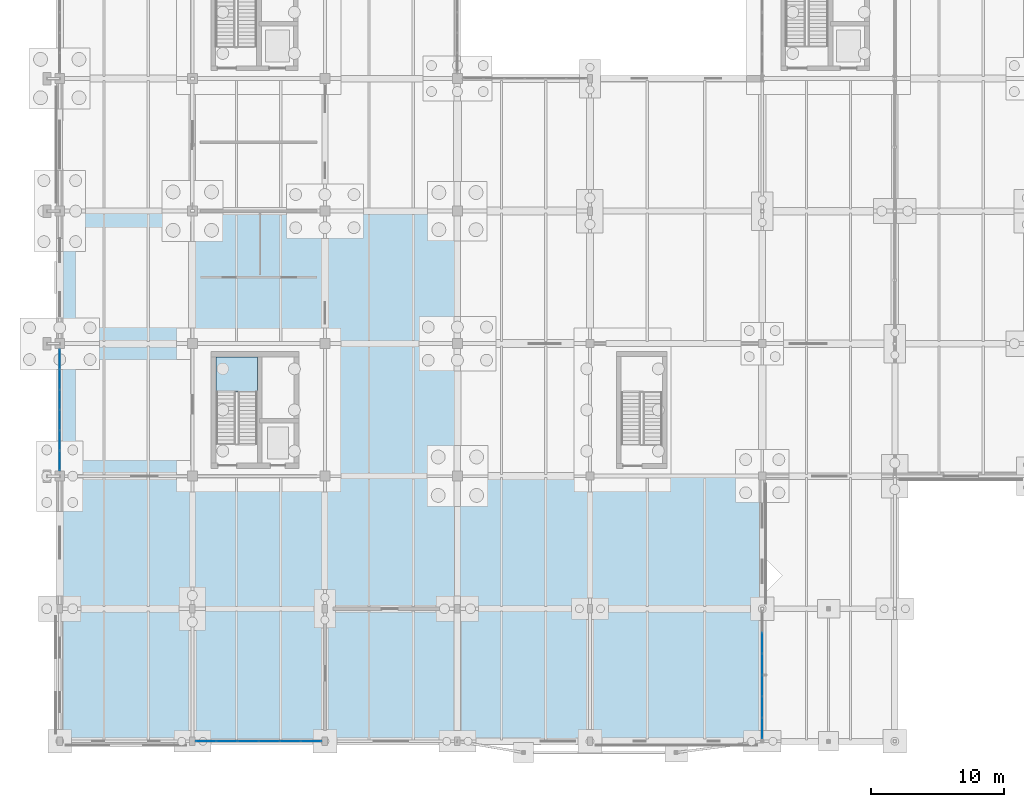
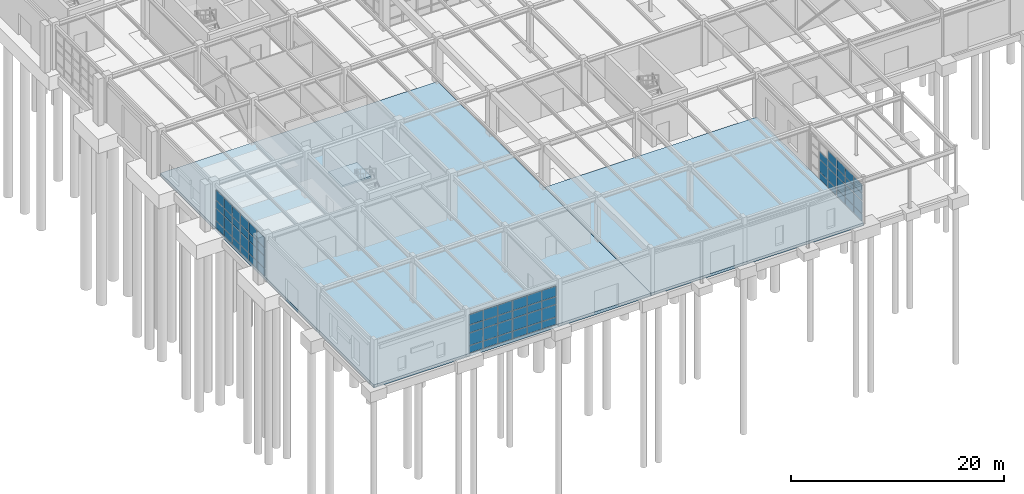
# One storey, part 82 of 145: 67 plates, 3 slabs, 4 elements without a shape of their own.
"""IFC4 building model written with IfcOpenShell, lengths in metres."""

from ifc_helpers import new_model, si_unit, direction, frame, origin, origin_2d, place, context, subcontext, project, spatial, polyline, rectangle, outline, extrude, material, layer, layer_set, type_object, element, aggregate, save


model = new_model("IFC4")

# Units and contexts
model_context = context("Model", 3, precision=1e-05, world=origin(), true_north=direction((0.0, 1.0)))
body_context = subcontext(model_context, "Body", "Model", "MODEL_VIEW")
ifc_project = project(units=[si_unit("LENGTHUNIT", "METRE"), si_unit("AREAUNIT", "SQUARE_METRE"), si_unit("VOLUMEUNIT", "CUBIC_METRE"), si_unit("PLANEANGLEUNIT", "RADIAN"), si_unit("MASSUNIT", "GRAM", prefix="KILO"), si_unit("THERMODYNAMICTEMPERATUREUNIT", "KELVIN"), si_unit("POWERUNIT", "WATT")], contexts=[model_context])

# Site, building, storey
site_placement = place(None, origin())
site = spatial("IfcSite", under=ifc_project, at=site_placement, CompositionType="ELEMENT")
building_placement = place(site_placement, origin())
building = spatial("IfcBuilding", under=site, at=building_placement, Name="Korenveer Ferry Terminal", CompositionType="ELEMENT")
storey_placement = place(building_placement, origin())
storey = spatial("IfcBuildingStorey", under=building, at=storey_placement, Name="L00", CompositionType="ELEMENT", Elevation=0.0)

# Curtain wall, plates
ifc_material_1 = material(Name="Unitised bronze-and-glass curtain wall", Category="glass")
ifc_layer_1 = layer(ifc_material_1, 0.159912109375)
ifc_layer_set_1 = layer_set([ifc_layer_1], Name="Unitised bronze-and-glass curtain wall")
curtain_wall_type_1 = type_object("IfcCurtainWallType", Name="ENV-CW-01", PredefinedType="USERDEFINED", material=ifc_layer_set_1)
curtain_wall_1_placement = place(storey_placement, frame((10.22998046875, 0.0, 0.0)))
curtain_wall_1 = element("IfcCurtainWall", 1, at=curtain_wall_1_placement, inside=storey, type_object=curtain_wall_type_1, Name="Lancet curtain wall CWX-L00-X10-20-Y0-0", ObjectType="UNITISED CURTAIN WALL", PredefinedType="USERDEFINED")
ifc_material_2 = material(Name="Low-iron solar-control double glazing", Category="glass")
ifc_layer_2 = layer(ifc_material_2, 0.028076171875)
ifc_layer_set_2 = layer_set([ifc_layer_2], Name="Low-iron solar-control double glazing")
plate_type = type_object("IfcPlateType", Name="ENV-CWP-GLZ28", PredefinedType="CURTAIN_PANEL", material=ifc_layer_set_2)
plate_1_placement = place(storey_placement, frame((11.0400390625, 0.0, 0.06005859375), z_axis=(0.0, 0.0, 1.0), x_axis=(1.0, 0.0, 0.0)))
plate_1 = element("IfcPlate", 2, at=plate_1_placement, type_object=plate_type, Name="CW-01 panel 1.1", PredefinedType="CURTAIN_PANEL", context=body_context, shape_type="SweptSolid", body=[
    extrude(rectangle(XDim=1.5, YDim=0.028076171875, at=origin_2d()), origin(), (0.0, 0.0, 1.0), 0.81005859375),
])
plate_2_placement = place(storey_placement, frame((11.0400390625, 0.0, 0.93017578125), z_axis=(0.0, 0.0, 1.0), x_axis=(1.0, 0.0, 0.0)))
plate_2 = element("IfcPlate", 3, at=plate_2_placement, type_object=plate_type, Name="CW-01 panel 1.2", PredefinedType="CURTAIN_PANEL", context=body_context, shape_type="SweptSolid", body=[
    extrude(rectangle(XDim=1.5, YDim=0.028076171875, at=origin_2d()), origin(), (0.0, 0.0, 1.0), 1.389892578125),
])
plate_3_placement = place(storey_placement, frame((11.0400390625, 0.0, 2.3798828125), z_axis=(0.0, 0.0, 1.0), x_axis=(1.0, 0.0, 0.0)))
plate_3 = element("IfcPlate", 4, at=plate_3_placement, type_object=plate_type, Name="CW-01 panel 1.3", PredefinedType="CURTAIN_PANEL", context=body_context, shape_type="SweptSolid", body=[
    extrude(rectangle(XDim=1.5, YDim=0.028076171875, at=origin_2d()), origin(), (0.0, 0.0, 1.0), 0.840087890625),
])
plate_4_placement = place(storey_placement, frame((11.0400390625, 0.0, 3.2802734375), z_axis=(0.0, 0.0, 1.0), x_axis=(1.0, 0.0, 0.0)))
plate_4 = element("IfcPlate", 5, at=plate_4_placement, type_object=plate_type, Name="CW-01 panel 1.4", PredefinedType="CURTAIN_PANEL", context=body_context, shape_type="SweptSolid", body=[
    extrude(rectangle(XDim=1.5, YDim=0.028076171875, at=origin_2d()), origin(), (0.0, 0.0, 1.0), 1.159912109375),
])
plate_5_placement = place(storey_placement, frame((12.614990234375, 0.0, 0.06005859375), z_axis=(0.0, 0.0, 1.0), x_axis=(1.0, 0.0, 0.0)))
plate_5 = element("IfcPlate", 6, at=plate_5_placement, type_object=plate_type, Name="CW-01 panel 2.1", PredefinedType="CURTAIN_PANEL", context=body_context, shape_type="SweptSolid", body=[
    extrude(rectangle(XDim=1.530029296875, YDim=0.028076171875, at=origin_2d()), origin(), (0.0, 0.0, 1.0), 0.81005859375),
])
plate_6_placement = place(storey_placement, frame((12.614990234375, 0.0, 0.93017578125), z_axis=(0.0, 0.0, 1.0), x_axis=(1.0, 0.0, 0.0)))
plate_6 = element("IfcPlate", 7, at=plate_6_placement, type_object=plate_type, Name="CW-01 panel 2.2", PredefinedType="CURTAIN_PANEL", context=body_context, shape_type="SweptSolid", body=[
    extrude(rectangle(XDim=1.530029296875, YDim=0.028076171875, at=origin_2d()), origin(), (0.0, 0.0, 1.0), 1.389892578125),
])
plate_7_placement = place(storey_placement, frame((12.614990234375, 0.0, 2.3798828125), z_axis=(0.0, 0.0, 1.0), x_axis=(1.0, 0.0, 0.0)))
plate_7 = element("IfcPlate", 8, at=plate_7_placement, type_object=plate_type, Name="CW-01 panel 2.3", PredefinedType="CURTAIN_PANEL", context=body_context, shape_type="SweptSolid", body=[
    extrude(rectangle(XDim=1.530029296875, YDim=0.028076171875, at=origin_2d()), origin(), (0.0, 0.0, 1.0), 0.840087890625),
])
plate_8_placement = place(storey_placement, frame((12.614990234375, 0.0, 3.2802734375), z_axis=(0.0, 0.0, 1.0), x_axis=(1.0, 0.0, 0.0)))
plate_8 = element("IfcPlate", 9, at=plate_8_placement, type_object=plate_type, Name="CW-01 panel 2.4", PredefinedType="CURTAIN_PANEL", context=body_context, shape_type="SweptSolid", body=[
    extrude(rectangle(XDim=1.530029296875, YDim=0.028076171875, at=origin_2d()), origin(), (0.0, 0.0, 1.0), 1.159912109375),
])
plate_9_placement = place(storey_placement, frame((14.205078125, 0.0, 0.06005859375), z_axis=(0.0, 0.0, 1.0), x_axis=(1.0, 0.0, 0.0)))
plate_9 = element("IfcPlate", 10, at=plate_9_placement, type_object=plate_type, Name="CW-01 panel 3.1", PredefinedType="CURTAIN_PANEL", context=body_context, shape_type="SweptSolid", body=[
    extrude(rectangle(XDim=1.530029296875, YDim=0.028076171875, at=origin_2d()), origin(), (0.0, 0.0, 1.0), 0.81005859375),
])
plate_10_placement = place(storey_placement, frame((14.205078125, 0.0, 0.93017578125), z_axis=(0.0, 0.0, 1.0), x_axis=(1.0, 0.0, 0.0)))
plate_10 = element("IfcPlate", 11, at=plate_10_placement, type_object=plate_type, Name="CW-01 panel 3.2", PredefinedType="CURTAIN_PANEL", context=body_context, shape_type="SweptSolid", body=[
    extrude(rectangle(XDim=1.530029296875, YDim=0.028076171875, at=origin_2d()), origin(), (0.0, 0.0, 1.0), 1.389892578125),
])
plate_11_placement = place(storey_placement, frame((14.205078125, 0.0, 2.3798828125), z_axis=(0.0, 0.0, 1.0), x_axis=(1.0, 0.0, 0.0)))
plate_11 = element("IfcPlate", 12, at=plate_11_placement, type_object=plate_type, Name="CW-01 panel 3.3", PredefinedType="CURTAIN_PANEL", context=body_context, shape_type="SweptSolid", body=[
    extrude(rectangle(XDim=1.530029296875, YDim=0.028076171875, at=origin_2d()), origin(), (0.0, 0.0, 1.0), 0.840087890625),
])
plate_12_placement = place(storey_placement, frame((14.205078125, 0.0, 3.2802734375), z_axis=(0.0, 0.0, 1.0), x_axis=(1.0, 0.0, 0.0)))
plate_12 = element("IfcPlate", 13, at=plate_12_placement, type_object=plate_type, Name="CW-01 panel 3.4", PredefinedType="CURTAIN_PANEL", context=body_context, shape_type="SweptSolid", body=[
    extrude(rectangle(XDim=1.530029296875, YDim=0.028076171875, at=origin_2d()), origin(), (0.0, 0.0, 1.0), 1.159912109375),
])
plate_13_placement = place(storey_placement, frame((15.794921875, 0.0, 0.06005859375), z_axis=(0.0, 0.0, 1.0), x_axis=(1.0, 0.0, 0.0)))
plate_13 = element("IfcPlate", 14, at=plate_13_placement, type_object=plate_type, Name="CW-01 panel 4.1", PredefinedType="CURTAIN_PANEL", context=body_context, shape_type="SweptSolid", body=[
    extrude(rectangle(XDim=1.530029296875, YDim=0.028076171875, at=origin_2d()), origin(), (0.0, 0.0, 1.0), 0.81005859375),
])
plate_14_placement = place(storey_placement, frame((15.794921875, 0.0, 0.93017578125), z_axis=(0.0, 0.0, 1.0), x_axis=(1.0, 0.0, 0.0)))
plate_14 = element("IfcPlate", 15, at=plate_14_placement, type_object=plate_type, Name="CW-01 panel 4.2", PredefinedType="CURTAIN_PANEL", context=body_context, shape_type="SweptSolid", body=[
    extrude(rectangle(XDim=1.530029296875, YDim=0.028076171875, at=origin_2d()), origin(), (0.0, 0.0, 1.0), 1.389892578125),
])
plate_15_placement = place(storey_placement, frame((15.794921875, 0.0, 2.3798828125), z_axis=(0.0, 0.0, 1.0), x_axis=(1.0, 0.0, 0.0)))
plate_15 = element("IfcPlate", 16, at=plate_15_placement, type_object=plate_type, Name="CW-01 panel 4.3", PredefinedType="CURTAIN_PANEL", context=body_context, shape_type="SweptSolid", body=[
    extrude(rectangle(XDim=1.530029296875, YDim=0.028076171875, at=origin_2d()), origin(), (0.0, 0.0, 1.0), 0.840087890625),
])
plate_16_placement = place(storey_placement, frame((15.794921875, 0.0, 3.2802734375), z_axis=(0.0, 0.0, 1.0), x_axis=(1.0, 0.0, 0.0)))
plate_16 = element("IfcPlate", 17, at=plate_16_placement, type_object=plate_type, Name="CW-01 panel 4.4", PredefinedType="CURTAIN_PANEL", context=body_context, shape_type="SweptSolid", body=[
    extrude(rectangle(XDim=1.530029296875, YDim=0.028076171875, at=origin_2d()), origin(), (0.0, 0.0, 1.0), 1.159912109375),
])
plate_17_placement = place(storey_placement, frame((17.385009765625, 0.0, 0.06005859375), z_axis=(0.0, 0.0, 1.0), x_axis=(1.0, 0.0, 0.0)))
plate_17 = element("IfcPlate", 18, at=plate_17_placement, type_object=plate_type, Name="CW-01 panel 5.1", PredefinedType="CURTAIN_PANEL", context=body_context, shape_type="SweptSolid", body=[
    extrude(rectangle(XDim=1.530029296875, YDim=0.028076171875, at=origin_2d()), origin(), (0.0, 0.0, 1.0), 0.81005859375),
])
plate_18_placement = place(storey_placement, frame((17.385009765625, 0.0, 0.93017578125), z_axis=(0.0, 0.0, 1.0), x_axis=(1.0, 0.0, 0.0)))
plate_18 = element("IfcPlate", 19, at=plate_18_placement, type_object=plate_type, Name="CW-01 panel 5.2", PredefinedType="CURTAIN_PANEL", context=body_context, shape_type="SweptSolid", body=[
    extrude(rectangle(XDim=1.530029296875, YDim=0.028076171875, at=origin_2d()), origin(), (0.0, 0.0, 1.0), 1.389892578125),
])
plate_19_placement = place(storey_placement, frame((17.385009765625, 0.0, 2.3798828125), z_axis=(0.0, 0.0, 1.0), x_axis=(1.0, 0.0, 0.0)))
plate_19 = element("IfcPlate", 20, at=plate_19_placement, type_object=plate_type, Name="CW-01 panel 5.3", PredefinedType="CURTAIN_PANEL", context=body_context, shape_type="SweptSolid", body=[
    extrude(rectangle(XDim=1.530029296875, YDim=0.028076171875, at=origin_2d()), origin(), (0.0, 0.0, 1.0), 0.840087890625),
])
plate_20_placement = place(storey_placement, frame((17.385009765625, 0.0, 3.2802734375), z_axis=(0.0, 0.0, 1.0), x_axis=(1.0, 0.0, 0.0)))
plate_20 = element("IfcPlate", 21, at=plate_20_placement, type_object=plate_type, Name="CW-01 panel 5.4", PredefinedType="CURTAIN_PANEL", context=body_context, shape_type="SweptSolid", body=[
    extrude(rectangle(XDim=1.530029296875, YDim=0.028076171875, at=origin_2d()), origin(), (0.0, 0.0, 1.0), 1.159912109375),
])
plate_21_placement = place(storey_placement, frame((18.9599609375, 0.0, 0.06005859375), z_axis=(0.0, 0.0, 1.0), x_axis=(1.0, 0.0, 0.0)))
plate_21 = element("IfcPlate", 22, at=plate_21_placement, type_object=plate_type, Name="CW-01 panel 6.1", PredefinedType="CURTAIN_PANEL", context=body_context, shape_type="SweptSolid", body=[
    extrude(rectangle(XDim=1.5, YDim=0.028076171875, at=origin_2d()), origin(), (0.0, 0.0, 1.0), 0.81005859375),
])
plate_22_placement = place(storey_placement, frame((18.9599609375, 0.0, 0.93017578125), z_axis=(0.0, 0.0, 1.0), x_axis=(1.0, 0.0, 0.0)))
plate_22 = element("IfcPlate", 23, at=plate_22_placement, type_object=plate_type, Name="CW-01 panel 6.2", PredefinedType="CURTAIN_PANEL", context=body_context, shape_type="SweptSolid", body=[
    extrude(rectangle(XDim=1.5, YDim=0.028076171875, at=origin_2d()), origin(), (0.0, 0.0, 1.0), 1.389892578125),
])
plate_23_placement = place(storey_placement, frame((18.9599609375, 0.0, 2.3798828125), z_axis=(0.0, 0.0, 1.0), x_axis=(1.0, 0.0, 0.0)))
plate_23 = element("IfcPlate", 24, at=plate_23_placement, type_object=plate_type, Name="CW-01 panel 6.3", PredefinedType="CURTAIN_PANEL", context=body_context, shape_type="SweptSolid", body=[
    extrude(rectangle(XDim=1.5, YDim=0.028076171875, at=origin_2d()), origin(), (0.0, 0.0, 1.0), 0.840087890625),
])
plate_24_placement = place(storey_placement, frame((18.9599609375, 0.0, 3.2802734375), z_axis=(0.0, 0.0, 1.0), x_axis=(1.0, 0.0, 0.0)))
plate_24 = element("IfcPlate", 25, at=plate_24_placement, type_object=plate_type, Name="CW-01 panel 6.4", PredefinedType="CURTAIN_PANEL", context=body_context, shape_type="SweptSolid", body=[
    extrude(rectangle(XDim=1.5, YDim=0.028076171875, at=origin_2d()), origin(), (0.0, 0.0, 1.0), 1.159912109375),
])
aggregate(curtain_wall_1, [plate_1, plate_2, plate_3, plate_4, plate_5, plate_6, plate_7, plate_8, plate_9, plate_10, plate_11, plate_12, plate_13, plate_14, plate_15, plate_16, plate_17, plate_18, plate_19, plate_20, plate_21, plate_22, plate_23, plate_24])

ifc_layer_3 = layer(ifc_material_1, 0.159912109375)
ifc_layer_set_3 = layer_set([ifc_layer_3], Name="Unitised bronze-and-glass curtain wall")
curtain_wall_type_2 = type_object("IfcCurtainWallType", Name="ENV-CW-18", PredefinedType="USERDEFINED", material=ifc_layer_set_3)
curtain_wall_2_placement = place(storey_placement, frame((0.0, 20.405029296875, 0.0)))
curtain_wall_2 = element("IfcCurtainWall", 26, at=curtain_wall_2_placement, inside=storey, type_object=curtain_wall_type_2, Name="Lancet curtain wall CWX-L00-X0-0-Y20-30", ObjectType="UNITISED CURTAIN WALL", PredefinedType="USERDEFINED")
plate_25_placement = place(storey_placement, frame((0.0, 21.185791015625, 0.06005859375), z_axis=(0.0, 0.0, 1.0), x_axis=(0.0, 1.0, 0.0)))
plate_25 = element("IfcPlate", 27, at=plate_25_placement, type_object=plate_type, Name="CW-18 panel 1.1", PredefinedType="CURTAIN_PANEL", context=body_context, shape_type="SweptSolid", body=[
    extrude(rectangle(XDim=1.441650390625, YDim=0.028076171875, at=origin_2d()), origin(), (0.0, 0.0, 1.0), 0.81005859375),
])
plate_26_placement = place(storey_placement, frame((0.0, 21.185791015625, 0.93017578125), z_axis=(0.0, 0.0, 1.0), x_axis=(0.0, 1.0, 0.0)))
plate_26 = element("IfcPlate", 28, at=plate_26_placement, type_object=plate_type, Name="CW-18 panel 1.2", PredefinedType="CURTAIN_PANEL", context=body_context, shape_type="SweptSolid", body=[
    extrude(rectangle(XDim=1.441650390625, YDim=0.028076171875, at=origin_2d()), origin(), (0.0, 0.0, 1.0), 1.389892578125),
])
plate_27_placement = place(storey_placement, frame((0.0, 21.185791015625, 2.3798828125), z_axis=(0.0, 0.0, 1.0), x_axis=(0.0, 1.0, 0.0)))
plate_27 = element("IfcPlate", 29, at=plate_27_placement, type_object=plate_type, Name="CW-18 panel 1.3", PredefinedType="CURTAIN_PANEL", context=body_context, shape_type="SweptSolid", body=[
    extrude(rectangle(XDim=1.441650390625, YDim=0.028076171875, at=origin_2d()), origin(), (0.0, 0.0, 1.0), 0.840087890625),
])
plate_28_placement = place(storey_placement, frame((0.0, 21.185791015625, 3.280029296875), z_axis=(0.0, 0.0, 1.0), x_axis=(0.0, 1.0, 0.0)))
plate_28 = element("IfcPlate", 30, at=plate_28_placement, type_object=plate_type, Name="CW-18 panel 1.4", PredefinedType="CURTAIN_PANEL", context=body_context, shape_type="SweptSolid", body=[
    extrude(rectangle(XDim=1.441650390625, YDim=0.028076171875, at=origin_2d()), origin(), (0.0, 0.0, 1.0), 1.14990234375),
])
plate_29_placement = place(storey_placement, frame((0.0, 22.702392578125, 0.06005859375), z_axis=(0.0, 0.0, 1.0), x_axis=(0.0, 1.0, 0.0)))
plate_29 = element("IfcPlate", 31, at=plate_29_placement, type_object=plate_type, Name="CW-18 panel 2.1", PredefinedType="CURTAIN_PANEL", context=body_context, shape_type="SweptSolid", body=[
    extrude(rectangle(XDim=1.4716796875, YDim=0.028076171875, at=origin_2d()), origin(), (0.0, 0.0, 1.0), 0.81005859375),
])
plate_30_placement = place(storey_placement, frame((0.0, 22.702392578125, 0.93017578125), z_axis=(0.0, 0.0, 1.0), x_axis=(0.0, 1.0, 0.0)))
plate_30 = element("IfcPlate", 32, at=plate_30_placement, type_object=plate_type, Name="CW-18 panel 2.2", PredefinedType="CURTAIN_PANEL", context=body_context, shape_type="SweptSolid", body=[
    extrude(rectangle(XDim=1.4716796875, YDim=0.028076171875, at=origin_2d()), origin(), (0.0, 0.0, 1.0), 1.389892578125),
])
plate_31_placement = place(storey_placement, frame((0.0, 22.702392578125, 2.3798828125), z_axis=(0.0, 0.0, 1.0), x_axis=(0.0, 1.0, 0.0)))
plate_31 = element("IfcPlate", 33, at=plate_31_placement, type_object=plate_type, Name="CW-18 panel 2.3", PredefinedType="CURTAIN_PANEL", context=body_context, shape_type="SweptSolid", body=[
    extrude(rectangle(XDim=1.4716796875, YDim=0.028076171875, at=origin_2d()), origin(), (0.0, 0.0, 1.0), 0.840087890625),
])
plate_32_placement = place(storey_placement, frame((0.0, 22.702392578125, 3.280029296875), z_axis=(0.0, 0.0, 1.0), x_axis=(0.0, 1.0, 0.0)))
plate_32 = element("IfcPlate", 34, at=plate_32_placement, type_object=plate_type, Name="CW-18 panel 2.4", PredefinedType="CURTAIN_PANEL", context=body_context, shape_type="SweptSolid", body=[
    extrude(rectangle(XDim=1.4716796875, YDim=0.028076171875, at=origin_2d()), origin(), (0.0, 0.0, 1.0), 1.14990234375),
])
plate_33_placement = place(storey_placement, frame((0.0, 24.234130859375, 0.06005859375), z_axis=(0.0, 0.0, 1.0), x_axis=(0.0, 1.0, 0.0)))
plate_33 = element("IfcPlate", 35, at=plate_33_placement, type_object=plate_type, Name="CW-18 panel 3.1", PredefinedType="CURTAIN_PANEL", context=body_context, shape_type="SweptSolid", body=[
    extrude(rectangle(XDim=1.4716796875, YDim=0.028076171875, at=origin_2d()), origin(), (0.0, 0.0, 1.0), 0.81005859375),
])
plate_34_placement = place(storey_placement, frame((0.0, 24.234130859375, 0.93017578125), z_axis=(0.0, 0.0, 1.0), x_axis=(0.0, 1.0, 0.0)))
plate_34 = element("IfcPlate", 36, at=plate_34_placement, type_object=plate_type, Name="CW-18 panel 3.2", PredefinedType="CURTAIN_PANEL", context=body_context, shape_type="SweptSolid", body=[
    extrude(rectangle(XDim=1.4716796875, YDim=0.028076171875, at=origin_2d()), origin(), (0.0, 0.0, 1.0), 1.389892578125),
])
plate_35_placement = place(storey_placement, frame((0.0, 24.234130859375, 2.3798828125), z_axis=(0.0, 0.0, 1.0), x_axis=(0.0, 1.0, 0.0)))
plate_35 = element("IfcPlate", 37, at=plate_35_placement, type_object=plate_type, Name="CW-18 panel 3.3", PredefinedType="CURTAIN_PANEL", context=body_context, shape_type="SweptSolid", body=[
    extrude(rectangle(XDim=1.4716796875, YDim=0.028076171875, at=origin_2d()), origin(), (0.0, 0.0, 1.0), 0.840087890625),
])
plate_36_placement = place(storey_placement, frame((0.0, 24.234130859375, 3.280029296875), z_axis=(0.0, 0.0, 1.0), x_axis=(0.0, 1.0, 0.0)))
plate_36 = element("IfcPlate", 38, at=plate_36_placement, type_object=plate_type, Name="CW-18 panel 3.4", PredefinedType="CURTAIN_PANEL", context=body_context, shape_type="SweptSolid", body=[
    extrude(rectangle(XDim=1.4716796875, YDim=0.028076171875, at=origin_2d()), origin(), (0.0, 0.0, 1.0), 1.14990234375),
])
plate_37_placement = place(storey_placement, frame((0.0, 25.765869140625, 0.06005859375), z_axis=(0.0, 0.0, 1.0), x_axis=(0.0, 1.0, 0.0)))
plate_37 = element("IfcPlate", 39, at=plate_37_placement, type_object=plate_type, Name="CW-18 panel 4.1", PredefinedType="CURTAIN_PANEL", context=body_context, shape_type="SweptSolid", body=[
    extrude(rectangle(XDim=1.4716796875, YDim=0.028076171875, at=origin_2d()), origin(), (0.0, 0.0, 1.0), 0.81005859375),
])
plate_38_placement = place(storey_placement, frame((0.0, 25.765869140625, 0.93017578125), z_axis=(0.0, 0.0, 1.0), x_axis=(0.0, 1.0, 0.0)))
plate_38 = element("IfcPlate", 40, at=plate_38_placement, type_object=plate_type, Name="CW-18 panel 4.2", PredefinedType="CURTAIN_PANEL", context=body_context, shape_type="SweptSolid", body=[
    extrude(rectangle(XDim=1.4716796875, YDim=0.028076171875, at=origin_2d()), origin(), (0.0, 0.0, 1.0), 1.389892578125),
])
plate_39_placement = place(storey_placement, frame((0.0, 25.765869140625, 2.3798828125), z_axis=(0.0, 0.0, 1.0), x_axis=(0.0, 1.0, 0.0)))
plate_39 = element("IfcPlate", 41, at=plate_39_placement, type_object=plate_type, Name="CW-18 panel 4.3", PredefinedType="CURTAIN_PANEL", context=body_context, shape_type="SweptSolid", body=[
    extrude(rectangle(XDim=1.4716796875, YDim=0.028076171875, at=origin_2d()), origin(), (0.0, 0.0, 1.0), 0.840087890625),
])
plate_40_placement = place(storey_placement, frame((0.0, 25.765869140625, 3.280029296875), z_axis=(0.0, 0.0, 1.0), x_axis=(0.0, 1.0, 0.0)))
plate_40 = element("IfcPlate", 42, at=plate_40_placement, type_object=plate_type, Name="CW-18 panel 4.4", PredefinedType="CURTAIN_PANEL", context=body_context, shape_type="SweptSolid", body=[
    extrude(rectangle(XDim=1.4716796875, YDim=0.028076171875, at=origin_2d()), origin(), (0.0, 0.0, 1.0), 1.14990234375),
])
plate_41_placement = place(storey_placement, frame((0.0, 27.297607421875, 0.06005859375), z_axis=(0.0, 0.0, 1.0), x_axis=(0.0, 1.0, 0.0)))
plate_41 = element("IfcPlate", 43, at=plate_41_placement, type_object=plate_type, Name="CW-18 panel 5.1", PredefinedType="CURTAIN_PANEL", context=body_context, shape_type="SweptSolid", body=[
    extrude(rectangle(XDim=1.4716796875, YDim=0.028076171875, at=origin_2d()), origin(), (0.0, 0.0, 1.0), 0.81005859375),
])
plate_42_placement = place(storey_placement, frame((0.0, 27.297607421875, 0.93017578125), z_axis=(0.0, 0.0, 1.0), x_axis=(0.0, 1.0, 0.0)))
plate_42 = element("IfcPlate", 44, at=plate_42_placement, type_object=plate_type, Name="CW-18 panel 5.2", PredefinedType="CURTAIN_PANEL", context=body_context, shape_type="SweptSolid", body=[
    extrude(rectangle(XDim=1.4716796875, YDim=0.028076171875, at=origin_2d()), origin(), (0.0, 0.0, 1.0), 1.389892578125),
])
plate_43_placement = place(storey_placement, frame((0.0, 27.297607421875, 2.3798828125), z_axis=(0.0, 0.0, 1.0), x_axis=(0.0, 1.0, 0.0)))
plate_43 = element("IfcPlate", 45, at=plate_43_placement, type_object=plate_type, Name="CW-18 panel 5.3", PredefinedType="CURTAIN_PANEL", context=body_context, shape_type="SweptSolid", body=[
    extrude(rectangle(XDim=1.4716796875, YDim=0.028076171875, at=origin_2d()), origin(), (0.0, 0.0, 1.0), 0.840087890625),
])
plate_44_placement = place(storey_placement, frame((0.0, 27.297607421875, 3.280029296875), z_axis=(0.0, 0.0, 1.0), x_axis=(0.0, 1.0, 0.0)))
plate_44 = element("IfcPlate", 46, at=plate_44_placement, type_object=plate_type, Name="CW-18 panel 5.4", PredefinedType="CURTAIN_PANEL", context=body_context, shape_type="SweptSolid", body=[
    extrude(rectangle(XDim=1.4716796875, YDim=0.028076171875, at=origin_2d()), origin(), (0.0, 0.0, 1.0), 1.14990234375),
])
plate_45_placement = place(storey_placement, frame((0.0, 28.814208984375, 0.06005859375), z_axis=(0.0, 0.0, 1.0), x_axis=(0.0, 1.0, 0.0)))
plate_45 = element("IfcPlate", 47, at=plate_45_placement, type_object=plate_type, Name="CW-18 panel 6.1", PredefinedType="CURTAIN_PANEL", context=body_context, shape_type="SweptSolid", body=[
    extrude(rectangle(XDim=1.441650390625, YDim=0.028076171875, at=origin_2d()), origin(), (0.0, 0.0, 1.0), 0.81005859375),
])
plate_46_placement = place(storey_placement, frame((0.0, 28.814208984375, 0.93017578125), z_axis=(0.0, 0.0, 1.0), x_axis=(0.0, 1.0, 0.0)))
plate_46 = element("IfcPlate", 48, at=plate_46_placement, type_object=plate_type, Name="CW-18 panel 6.2", PredefinedType="CURTAIN_PANEL", context=body_context, shape_type="SweptSolid", body=[
    extrude(rectangle(XDim=1.441650390625, YDim=0.028076171875, at=origin_2d()), origin(), (0.0, 0.0, 1.0), 1.389892578125),
])
plate_47_placement = place(storey_placement, frame((0.0, 28.814208984375, 2.3798828125), z_axis=(0.0, 0.0, 1.0), x_axis=(0.0, 1.0, 0.0)))
plate_47 = element("IfcPlate", 49, at=plate_47_placement, type_object=plate_type, Name="CW-18 panel 6.3", PredefinedType="CURTAIN_PANEL", context=body_context, shape_type="SweptSolid", body=[
    extrude(rectangle(XDim=1.441650390625, YDim=0.028076171875, at=origin_2d()), origin(), (0.0, 0.0, 1.0), 0.840087890625),
])
plate_48_placement = place(storey_placement, frame((0.0, 28.814208984375, 3.280029296875), z_axis=(0.0, 0.0, 1.0), x_axis=(0.0, 1.0, 0.0)))
plate_48 = element("IfcPlate", 50, at=plate_48_placement, type_object=plate_type, Name="CW-18 panel 6.4", PredefinedType="CURTAIN_PANEL", context=body_context, shape_type="SweptSolid", body=[
    extrude(rectangle(XDim=1.441650390625, YDim=0.028076171875, at=origin_2d()), origin(), (0.0, 0.0, 1.0), 1.14990234375),
])
aggregate(curtain_wall_2, [plate_25, plate_26, plate_27, plate_28, plate_29, plate_30, plate_31, plate_32, plate_33, plate_34, plate_35, plate_36, plate_37, plate_38, plate_39, plate_40, plate_41, plate_42, plate_43, plate_44, plate_45, plate_46, plate_47, plate_48])

ifc_layer_4 = layer(ifc_material_1, 0.159912109375)
ifc_layer_set_4 = layer_set([ifc_layer_4], Name="Unitised bronze-and-glass curtain wall")
curtain_wall_type_3 = type_object("IfcCurtainWallType", Name="ENV-CW-25", PredefinedType="USERDEFINED", material=ifc_layer_set_4)
curtain_wall_3_placement = place(storey_placement, frame((53.0, 9.844970703125, 0.0)))
curtain_wall_3 = element("IfcCurtainWall", 51, at=curtain_wall_3_placement, inside=storey, type_object=curtain_wall_type_3, Name="Lancet curtain wall CWX-L00-X53-53-Y0-10", ObjectType="UNITISED CURTAIN WALL", PredefinedType="USERDEFINED")
plate_49_placement = place(storey_placement, frame((53.0, 7.422607421875, 0.06005859375), z_axis=(0.0, 0.0, 1.0), x_axis=(0.0, -1.0, 0.0)))
plate_49 = element("IfcPlate", 52, at=plate_49_placement, type_object=plate_type, Name="CW-25 panel 2.1", PredefinedType="CURTAIN_PANEL", context=body_context, shape_type="SweptSolid", body=[
    extrude(rectangle(XDim=1.554931640625, YDim=0.028076171875, at=origin_2d()), origin(), (0.0, 0.0, 1.0), 0.81005859375),
])
plate_50_placement = place(storey_placement, frame((53.0, 7.422607421875, 0.93017578125), z_axis=(0.0, 0.0, 1.0), x_axis=(0.0, -1.0, 0.0)))
plate_50 = element("IfcPlate", 53, at=plate_50_placement, type_object=plate_type, Name="CW-25 panel 2.2", PredefinedType="CURTAIN_PANEL", context=body_context, shape_type="SweptSolid", body=[
    extrude(rectangle(XDim=1.554931640625, YDim=0.028076171875, at=origin_2d()), origin(), (0.0, 0.0, 1.0), 1.389892578125),
])
plate_51_placement = place(storey_placement, frame((53.0, 7.422607421875, 2.3798828125), z_axis=(0.0, 0.0, 1.0), x_axis=(0.0, -1.0, 0.0)))
plate_51 = element("IfcPlate", 54, at=plate_51_placement, type_object=plate_type, Name="CW-25 panel 2.3", PredefinedType="CURTAIN_PANEL", context=body_context, shape_type="SweptSolid", body=[
    extrude(rectangle(XDim=1.554931640625, YDim=0.028076171875, at=origin_2d()), origin(), (0.0, 0.0, 1.0), 0.840087890625),
])
plate_52_placement = place(storey_placement, frame((53.0, 5.8076171875, 0.06005859375), z_axis=(0.0, 0.0, 1.0), x_axis=(0.0, -1.0, 0.0)))
plate_52 = element("IfcPlate", 55, at=plate_52_placement, type_object=plate_type, Name="CW-25 panel 3.1", PredefinedType="CURTAIN_PANEL", context=body_context, shape_type="SweptSolid", body=[
    extrude(rectangle(XDim=1.554931640625, YDim=0.028076171875, at=origin_2d()), origin(), (0.0, 0.0, 1.0), 0.81005859375),
])
plate_53_placement = place(storey_placement, frame((53.0, 5.8076171875, 0.93017578125), z_axis=(0.0, 0.0, 1.0), x_axis=(0.0, -1.0, 0.0)))
plate_53 = element("IfcPlate", 56, at=plate_53_placement, type_object=plate_type, Name="CW-25 panel 3.2", PredefinedType="CURTAIN_PANEL", context=body_context, shape_type="SweptSolid", body=[
    extrude(rectangle(XDim=1.554931640625, YDim=0.028076171875, at=origin_2d()), origin(), (0.0, 0.0, 1.0), 1.389892578125),
])
plate_54_placement = place(storey_placement, frame((53.0, 5.8076171875, 2.3798828125), z_axis=(0.0, 0.0, 1.0), x_axis=(0.0, -1.0, 0.0)))
plate_54 = element("IfcPlate", 57, at=plate_54_placement, type_object=plate_type, Name="CW-25 panel 3.3", PredefinedType="CURTAIN_PANEL", context=body_context, shape_type="SweptSolid", body=[
    extrude(rectangle(XDim=1.554931640625, YDim=0.028076171875, at=origin_2d()), origin(), (0.0, 0.0, 1.0), 0.840087890625),
])
plate_55_placement = place(storey_placement, frame((53.0, 5.8076171875, 3.27978515625), z_axis=(0.0, 0.0, 1.0), x_axis=(0.0, -1.0, 0.0)))
plate_55 = element("IfcPlate", 58, at=plate_55_placement, type_object=plate_type, Name="CW-25 panel 3.4", PredefinedType="CURTAIN_PANEL", context=body_context, shape_type="SweptSolid", body=[
    extrude(rectangle(XDim=1.554931640625, YDim=0.028076171875, at=origin_2d()), origin(), (0.0, 0.0, 1.0), 0.989990234375),
])
plate_56_placement = place(storey_placement, frame((53.0, 4.1923828125, 0.06005859375), z_axis=(0.0, 0.0, 1.0), x_axis=(0.0, -1.0, 0.0)))
plate_56 = element("IfcPlate", 59, at=plate_56_placement, type_object=plate_type, Name="CW-25 panel 4.1", PredefinedType="CURTAIN_PANEL", context=body_context, shape_type="SweptSolid", body=[
    extrude(rectangle(XDim=1.554931640625, YDim=0.028076171875, at=origin_2d()), origin(), (0.0, 0.0, 1.0), 0.81005859375),
])
plate_57_placement = place(storey_placement, frame((53.0, 4.1923828125, 0.93017578125), z_axis=(0.0, 0.0, 1.0), x_axis=(0.0, -1.0, 0.0)))
plate_57 = element("IfcPlate", 60, at=plate_57_placement, type_object=plate_type, Name="CW-25 panel 4.2", PredefinedType="CURTAIN_PANEL", context=body_context, shape_type="SweptSolid", body=[
    extrude(rectangle(XDim=1.554931640625, YDim=0.028076171875, at=origin_2d()), origin(), (0.0, 0.0, 1.0), 1.389892578125),
])
plate_58_placement = place(storey_placement, frame((53.0, 4.1923828125, 2.3798828125), z_axis=(0.0, 0.0, 1.0), x_axis=(0.0, -1.0, 0.0)))
plate_58 = element("IfcPlate", 61, at=plate_58_placement, type_object=plate_type, Name="CW-25 panel 4.3", PredefinedType="CURTAIN_PANEL", context=body_context, shape_type="SweptSolid", body=[
    extrude(rectangle(XDim=1.554931640625, YDim=0.028076171875, at=origin_2d()), origin(), (0.0, 0.0, 1.0), 0.840087890625),
])
plate_59_placement = place(storey_placement, frame((53.0, 4.1923828125, 3.27978515625), z_axis=(0.0, 0.0, 1.0), x_axis=(0.0, -1.0, 0.0)))
plate_59 = element("IfcPlate", 62, at=plate_59_placement, type_object=plate_type, Name="CW-25 panel 4.4", PredefinedType="CURTAIN_PANEL", context=body_context, shape_type="SweptSolid", body=[
    extrude(rectangle(XDim=1.554931640625, YDim=0.028076171875, at=origin_2d()), origin(), (0.0, 0.0, 1.0), 0.989990234375),
])
plate_60_placement = place(storey_placement, frame((53.0, 2.577392578125, 0.06005859375), z_axis=(0.0, 0.0, 1.0), x_axis=(0.0, -1.0, 0.0)))
plate_60 = element("IfcPlate", 63, at=plate_60_placement, type_object=plate_type, Name="CW-25 panel 5.1", PredefinedType="CURTAIN_PANEL", context=body_context, shape_type="SweptSolid", body=[
    extrude(rectangle(XDim=1.554931640625, YDim=0.028076171875, at=origin_2d()), origin(), (0.0, 0.0, 1.0), 0.81005859375),
])
plate_61_placement = place(storey_placement, frame((53.0, 2.577392578125, 0.93017578125), z_axis=(0.0, 0.0, 1.0), x_axis=(0.0, -1.0, 0.0)))
plate_61 = element("IfcPlate", 64, at=plate_61_placement, type_object=plate_type, Name="CW-25 panel 5.2", PredefinedType="CURTAIN_PANEL", context=body_context, shape_type="SweptSolid", body=[
    extrude(rectangle(XDim=1.554931640625, YDim=0.028076171875, at=origin_2d()), origin(), (0.0, 0.0, 1.0), 1.389892578125),
])
plate_62_placement = place(storey_placement, frame((53.0, 2.577392578125, 2.3798828125), z_axis=(0.0, 0.0, 1.0), x_axis=(0.0, -1.0, 0.0)))
plate_62 = element("IfcPlate", 65, at=plate_62_placement, type_object=plate_type, Name="CW-25 panel 5.3", PredefinedType="CURTAIN_PANEL", context=body_context, shape_type="SweptSolid", body=[
    extrude(rectangle(XDim=1.554931640625, YDim=0.028076171875, at=origin_2d()), origin(), (0.0, 0.0, 1.0), 0.840087890625),
])
plate_63_placement = place(storey_placement, frame((53.0, 2.577392578125, 3.27978515625), z_axis=(0.0, 0.0, 1.0), x_axis=(0.0, -1.0, 0.0)))
plate_63 = element("IfcPlate", 66, at=plate_63_placement, type_object=plate_type, Name="CW-25 panel 5.4", PredefinedType="CURTAIN_PANEL", context=body_context, shape_type="SweptSolid", body=[
    extrude(rectangle(XDim=1.554931640625, YDim=0.028076171875, at=origin_2d()), origin(), (0.0, 0.0, 1.0), 0.989990234375),
])
plate_64_placement = place(storey_placement, frame((53.0, 0.9775390625, 0.06005859375), z_axis=(0.0, 0.0, 1.0), x_axis=(0.0, -1.0, 0.0)))
plate_64 = element("IfcPlate", 67, at=plate_64_placement, type_object=plate_type, Name="CW-25 panel 6.1", PredefinedType="CURTAIN_PANEL", context=body_context, shape_type="SweptSolid", body=[
    extrude(rectangle(XDim=1.52490234375, YDim=0.028076171875, at=origin_2d()), origin(), (0.0, 0.0, 1.0), 0.81005859375),
])
plate_65_placement = place(storey_placement, frame((53.0, 0.9775390625, 0.93017578125), z_axis=(0.0, 0.0, 1.0), x_axis=(0.0, -1.0, 0.0)))
plate_65 = element("IfcPlate", 68, at=plate_65_placement, type_object=plate_type, Name="CW-25 panel 6.2", PredefinedType="CURTAIN_PANEL", context=body_context, shape_type="SweptSolid", body=[
    extrude(rectangle(XDim=1.52490234375, YDim=0.028076171875, at=origin_2d()), origin(), (0.0, 0.0, 1.0), 1.389892578125),
])
plate_66_placement = place(storey_placement, frame((53.0, 0.9775390625, 2.3798828125), z_axis=(0.0, 0.0, 1.0), x_axis=(0.0, -1.0, 0.0)))
plate_66 = element("IfcPlate", 69, at=plate_66_placement, type_object=plate_type, Name="CW-25 panel 6.3", PredefinedType="CURTAIN_PANEL", context=body_context, shape_type="SweptSolid", body=[
    extrude(rectangle(XDim=1.52490234375, YDim=0.028076171875, at=origin_2d()), origin(), (0.0, 0.0, 1.0), 0.840087890625),
])
plate_67_placement = place(storey_placement, frame((53.0, 0.9775390625, 3.27978515625), z_axis=(0.0, 0.0, 1.0), x_axis=(0.0, -1.0, 0.0)))
plate_67 = element("IfcPlate", 70, at=plate_67_placement, type_object=plate_type, Name="CW-25 panel 6.4", PredefinedType="CURTAIN_PANEL", context=body_context, shape_type="SweptSolid", body=[
    extrude(rectangle(XDim=1.52490234375, YDim=0.028076171875, at=origin_2d()), origin(), (0.0, 0.0, 1.0), 0.989990234375),
])
aggregate(curtain_wall_3, [plate_49, plate_50, plate_51, plate_52, plate_53, plate_54, plate_55, plate_56, plate_57, plate_58, plate_59, plate_60, plate_61, plate_62, plate_63, plate_64, plate_65, plate_66, plate_67])

# Stair, slab
ifc_material_3 = material(Name="Concrete C40/50", Category="concrete")
stair_type = type_object("IfcStairType", Name="INT-ST-01", PredefinedType="HALF_TURN_STAIR", material=ifc_material_3)
stair_placement = place(storey_placement, frame((14.175048828125, 22.449951171875, 0.0)))
stair = element("IfcStair", 71, at=stair_placement, inside=storey, type_object=stair_type, Name="L00 West Firefighting Core K1", PredefinedType="HALF_TURN_STAIR")
ifc_layer_5 = layer(ifc_material_3, 0.199951171875)
ifc_layer_set_5 = layer_set([ifc_layer_5], Name="Concrete C40/50")
slab_type_1 = type_object("IfcSlabType", Name="INT-SL-LAND200", PredefinedType="LANDING", material=ifc_layer_set_5)
slab_1_placement = place(storey_placement, frame((0.0, 0.0, 2.5)))
slab_1 = element("IfcSlab", 72, at=slab_1_placement, type_object=slab_type_1, Name="ST01 landing 1", PredefinedType="LANDING", context=body_context, shape_type="SweptSolid", body=[
    extrude(outline(polyline([(14.89990234375, 26.3701171875), (14.89990234375, 29.0), (11.800048828125, 29.0), (11.800048828125, 26.3701171875), (14.89990234375, 26.3701171875)])), origin(), (0.0, 0.0, 1.0), 0.199951171875),
])
aggregate(stair, [slab_1])

# Slabs
ifc_layer_6 = layer(ifc_material_3, 0.320068359375)
ifc_layer_set_6 = layer_set([ifc_layer_6], Name="Concrete C40/50")
slab_type_2 = type_object("IfcSlabType", Name="STR-SL-BASE320", PredefinedType="BASESLAB", material=ifc_layer_set_6)
slab_2_placement = place(storey_placement, frame((0.0, 0.0, -0.320068359375)))
element("IfcSlab", 73, at=slab_2_placement, inside=storey, type_object=slab_type_2, Name="Floor slab SL-L00-FCW", PredefinedType="BASESLAB", context=body_context, shape_type="SweptSolid", body=[
    extrude(outline(polyline([(30.0, 0.0), (53.0, 0.0), (53.0, 20.0), (30.0, 20.0), (30.0, 0.0)])), origin(), (0.0, 0.0, 1.0), 0.320068359375),
])
ifc_layer_7 = layer(ifc_material_3, 0.35009765625)
ifc_layer_set_7 = layer_set([ifc_layer_7], Name="Concrete C40/50")
slab_type_3 = type_object("IfcSlabType", Name="STR-SL-BASE350", PredefinedType="BASESLAB", material=ifc_layer_set_7)
slab_3_placement = place(storey_placement, frame((0.0, 0.0, -0.35009765625)))
element("IfcSlab", 74, at=slab_3_placement, inside=storey, type_object=slab_type_3, Name="Floor slab SL-L00-W1", PredefinedType="BASESLAB", context=body_context, shape_type="SweptSolid", body=[
    extrude(outline(polyline([(0.0, 0.0), (30.0, 0.0), (30.0, 40.0), (0.0, 40.0), (0.0, 0.0)])), origin(), (0.0, 0.0, 1.0), 0.35009765625),
])

save(model, "model.ifc")
